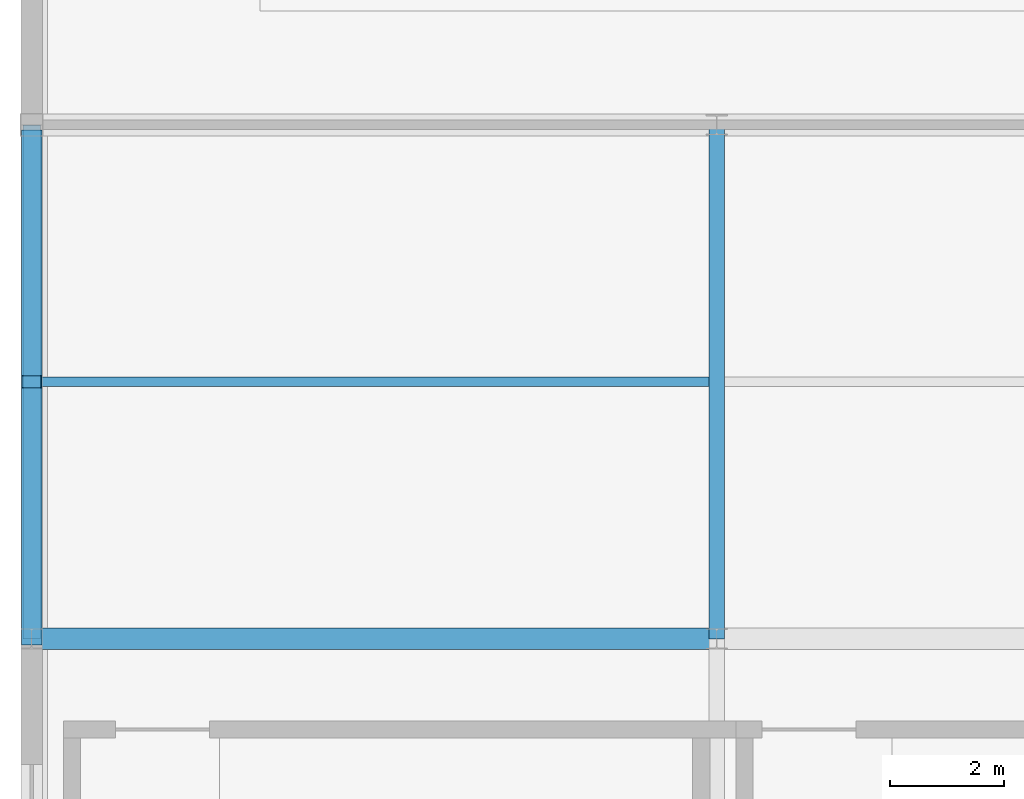
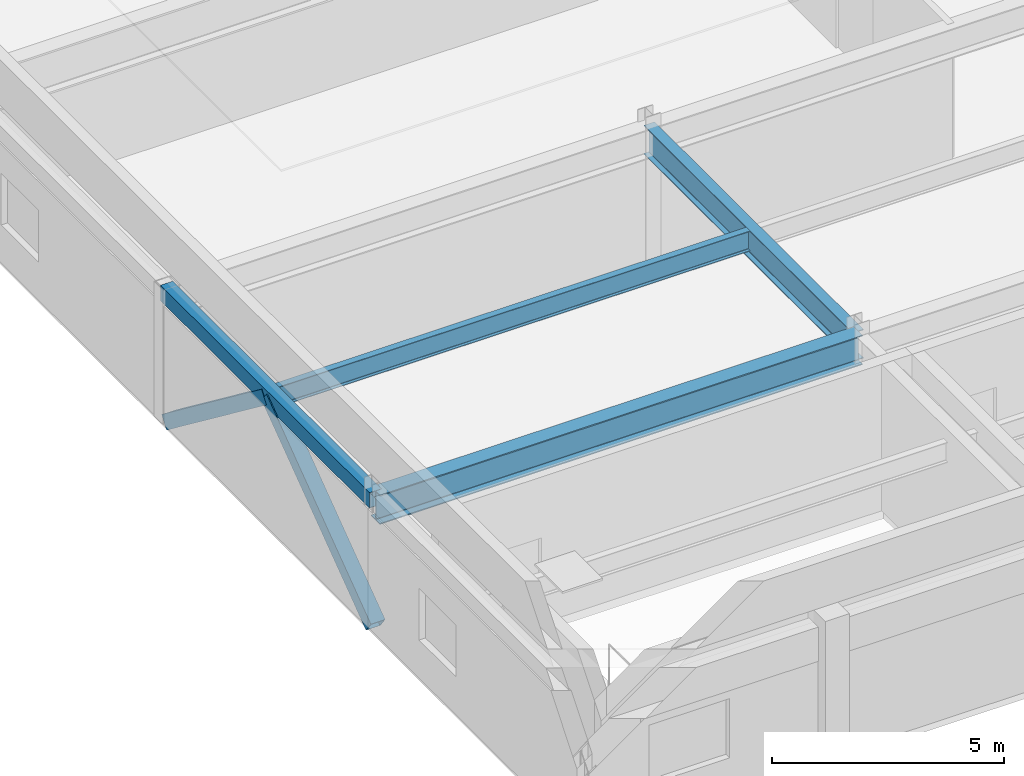
# One storey, part 20 of 108: 4 beams, 2 members.
"""IFC4 building model written with IfcOpenShell, lengths in metres."""

from ifc_helpers import new_model, si_unit, direction, frame, origin, origin_2d, place, context, subcontext, project, spatial, hollow_rectangle, i_section, extrude, material, material_profile, profile_set, type_object, element, save


model = new_model("IFC4")

# Units and contexts
model_context = context("Model", 3, precision=1e-05, world=origin(), true_north=direction((0.0, 1.0)))
body_context = subcontext(model_context, "Body", "Model", "MODEL_VIEW")
ifc_project = project(units=[si_unit("LENGTHUNIT", "METRE"), si_unit("AREAUNIT", "SQUARE_METRE"), si_unit("VOLUMEUNIT", "CUBIC_METRE"), si_unit("PLANEANGLEUNIT", "RADIAN"), si_unit("MASSUNIT", "GRAM", prefix="KILO")], contexts=[model_context])

# Site, building, storey
site_placement = place(None, origin())
site = spatial("IfcSite", under=ifc_project, at=site_placement, CompositionType="ELEMENT")
building_placement = place(site_placement, origin())
building = spatial("IfcBuilding", under=site, at=building_placement, Name="Kaldorvane Square Convention Centre", CompositionType="ELEMENT")
storey_placement = place(building_placement, frame((0.0, 0.0, 23.399993896484375)))
storey = spatial("IfcBuildingStorey", under=building, at=storey_placement, Name="L04", CompositionType="ELEMENT", Elevation=23.399993896484375)

# Beams
ifc_material_1 = material(Name="Steel ASTM A992 Gr. 50", Category="steel")
ifc_material_profile_1 = material_profile(ifc_material_1, i_section(OverallWidth=0.2666015625, OverallDepth=0.762298583984375, WebThickness=0.014404296875, FlangeThickness=0.0216064453125, FilletRadius=0.0164947509765625, at=origin_2d()), Name="W30X116")
ifc_profile_set_1 = profile_set([ifc_material_profile_1], Name="Steel ASTM A992 Gr. 50")
beam_type_1 = type_object("IfcBeamType", Name="BM-GR-W30X116", PredefinedType="BEAM", material=ifc_profile_set_1)
beam_1_placement = place(storey_placement, frame((12.0, 9.0, 3.144805908203125), z_axis=(0.0, 1.0, 0.0), x_axis=(-1.0, 0.0, 0.0)))
element("IfcBeam", 1, at=beam_1_placement, inside=storey, type_object=beam_type_1, Name="Transverse Girder (L04)", PredefinedType="BEAM", context=body_context, shape_type="SweptSolid", body=[
    extrude(i_section(OverallWidth=0.2666015625, OverallDepth=0.762298583984375, WebThickness=0.014404296875, FlangeThickness=0.0216064453125, FilletRadius=0.0164947509765625, at=origin_2d()), origin(), (0.0, 0.0, 1.0), 9.0),
])
ifc_material_profile_2 = material_profile(ifc_material_1, i_section(OverallWidth=0.380706787109375, OverallDepth=0.773193359375, WebThickness=0.0166015625, FlangeThickness=0.027099609375, FilletRadius=0.0164947509765625, at=origin_2d()), Name="W30X173")
ifc_profile_set_2 = profile_set([ifc_material_profile_2], Name="Steel ASTM A992 Gr. 50")
beam_type_2 = type_object("IfcBeamType", Name="BM-GR-W30X173", PredefinedType="BEAM", material=ifc_profile_set_2)
beam_2_placement = place(storey_placement, frame((0.0, 9.0, 3.139404296875), z_axis=(1.0, 0.0, 0.0), x_axis=(0.0, 1.0, 0.0)))
element("IfcBeam", 2, at=beam_2_placement, inside=storey, type_object=beam_type_2, Name="Primary Girder (L04)", PredefinedType="BEAM", context=body_context, shape_type="SweptSolid", body=[
    extrude(i_section(OverallWidth=0.380706787109375, OverallDepth=0.773193359375, WebThickness=0.0166015625, FlangeThickness=0.027099609375, FilletRadius=0.0164947509765625, at=origin_2d()), origin(), (0.0, 0.0, 1.0), 12.0),
])
ifc_material_profile_3 = material_profile(ifc_material_1, i_section(OverallWidth=0.1658935546875, OverallDepth=0.5290985107421875, WebThickness=0.00970458984375, FlangeThickness=0.0135955810546875, FilletRadius=0.0126953125, at=origin_2d()), Name="W21X50")
ifc_profile_set_3 = profile_set([ifc_material_profile_3], Name="Steel ASTM A992 Gr. 50")
beam_type_3 = type_object("IfcBeamType", Name="BM-JS-W21X50", PredefinedType="JOIST", material=ifc_profile_set_3)
beam_3_placement = place(storey_placement, frame((0.15240478515625, 13.5, 3.26141357421875), z_axis=(1.0, 0.0, 0.0), x_axis=(0.0, 1.0, 0.0)))
element("IfcBeam", 3, at=beam_3_placement, inside=storey, type_object=beam_type_3, Name="Secondary Floor Joist (L04)", PredefinedType="JOIST", context=body_context, shape_type="SweptSolid", body=[
    extrude(i_section(OverallWidth=0.1658935546875, OverallDepth=0.5290985107421875, WebThickness=0.00970458984375, FlangeThickness=0.0135955810546875, FilletRadius=0.0126953125, at=origin_2d()), origin(), (0.0, 0.0, 1.0), 11.71429443359375),
])
ifc_material_2 = material(Name="Steel ASTM A500 Gr. C", Category="steel")
ifc_material_profile_4 = material_profile(ifc_material_2, hollow_rectangle(XDim=0.3047943115234375, YDim=0.406402587890625, WallThickness=0.0117950439453125, at=origin_2d()), Name="HSS16X12X1/2")
ifc_profile_set_4 = profile_set([ifc_material_profile_4], Name="Steel ASTM A500 Gr. C")
beam_type_4 = type_object("IfcBeamType", Name="BM-SP-HSS16", PredefinedType="SPANDREL", material=ifc_profile_set_4)
beam_4_placement = place(storey_placement, frame((0.0, 9.0, 3.3227996826171875), z_axis=(0.0, 1.0, 0.0), x_axis=(-1.0, 0.0, 0.0)))
element("IfcBeam", 4, at=beam_4_placement, inside=storey, type_object=beam_type_4, Name="End Spandrel (L04)", PredefinedType="SPANDREL", context=body_context, shape_type="SweptSolid", body=[
    extrude(hollow_rectangle(XDim=0.3047943115234375, YDim=0.406402587890625, WallThickness=0.0117950439453125, at=origin_2d()), origin(), (0.0, 0.0, 1.0), 9.0),
])

# Members
ifc_material_profile_5 = material_profile(ifc_material_2, hollow_rectangle(XDim=0.3556060791015625, YDim=0.3556060791015625, WallThickness=0.0117950439453125, at=origin_2d()), Name="HSS14X14X1/2")
ifc_profile_set_5 = profile_set([ifc_material_profile_5], Name="Steel ASTM A500 Gr. C")
member_type = type_object("IfcMemberType", Name="MB-BR-HSS14", PredefinedType="BRACE", material=ifc_profile_set_5)
member_1_placement = place(storey_placement, frame((0.0, 9.0, 0.0), z_axis=(0.0, 0.804456950309, 0.59401095537), x_axis=(-1.0, 0.0, 0.0)))
element("IfcMember", 5, at=member_1_placement, inside=storey, type_object=member_type, Name="Seismic Chevron Brace X0-B1A (L04)", PredefinedType="BRACE", context=body_context, shape_type="SweptSolid", body=[
    extrude(hollow_rectangle(XDim=0.3556060791015625, YDim=0.3556060791015625, WallThickness=0.0117950439453125, at=origin_2d()), origin(), (0.0, 0.0, 1.0), 5.593841552734375),
])
member_2_placement = place(storey_placement, frame((0.0, 17.80419921875, 0.0500030517578125), z_axis=(0.0, -0.796019156203, 0.60527142916), x_axis=(1.0, 0.0, 0.0)))
element("IfcMember", 6, at=member_2_placement, inside=storey, type_object=member_type, Name="Seismic Chevron Brace X0-B1B (L04)", PredefinedType="BRACE", context=body_context, shape_type="SweptSolid", body=[
    extrude(hollow_rectangle(XDim=0.3556060791015625, YDim=0.3556060791015625, WallThickness=0.0117950439453125, at=origin_2d()), origin(), (0.0, 0.0, 1.0), 5.4071502685546875),
])

save(model, "model.ifc")
